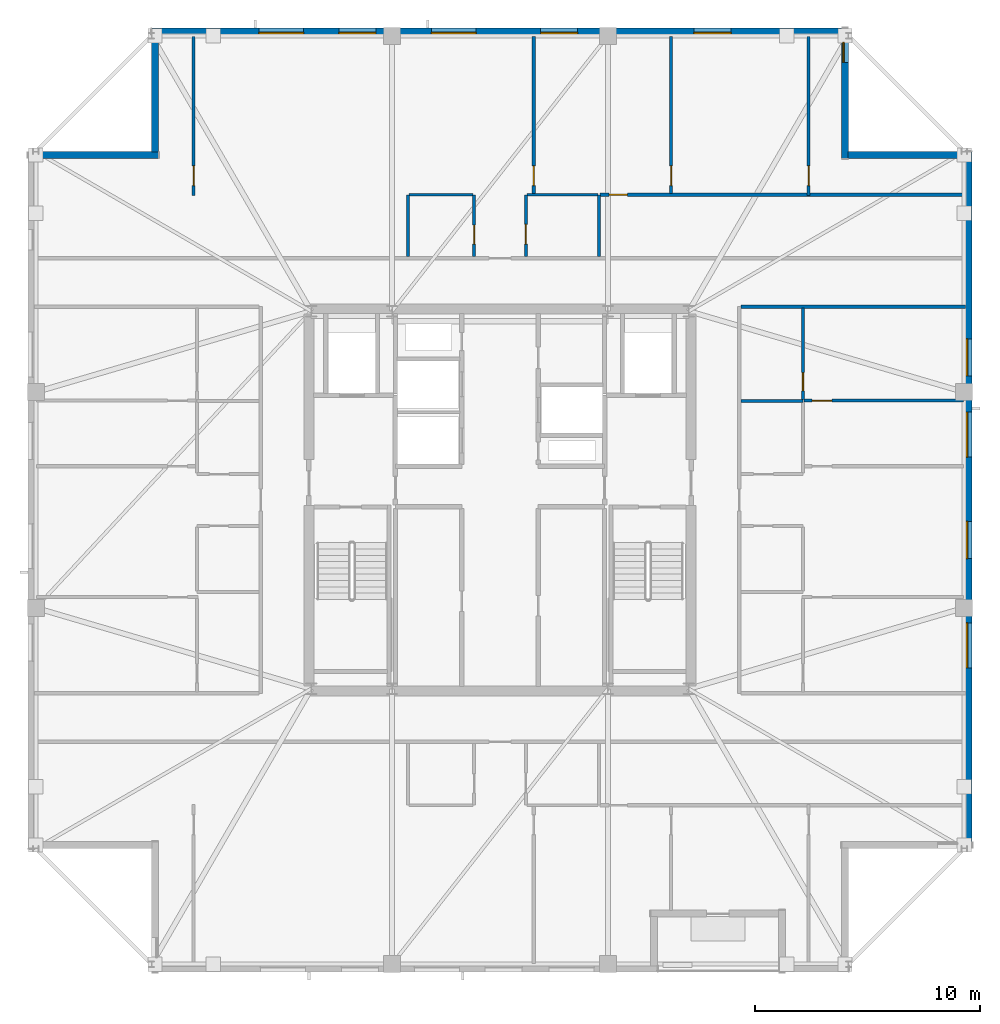
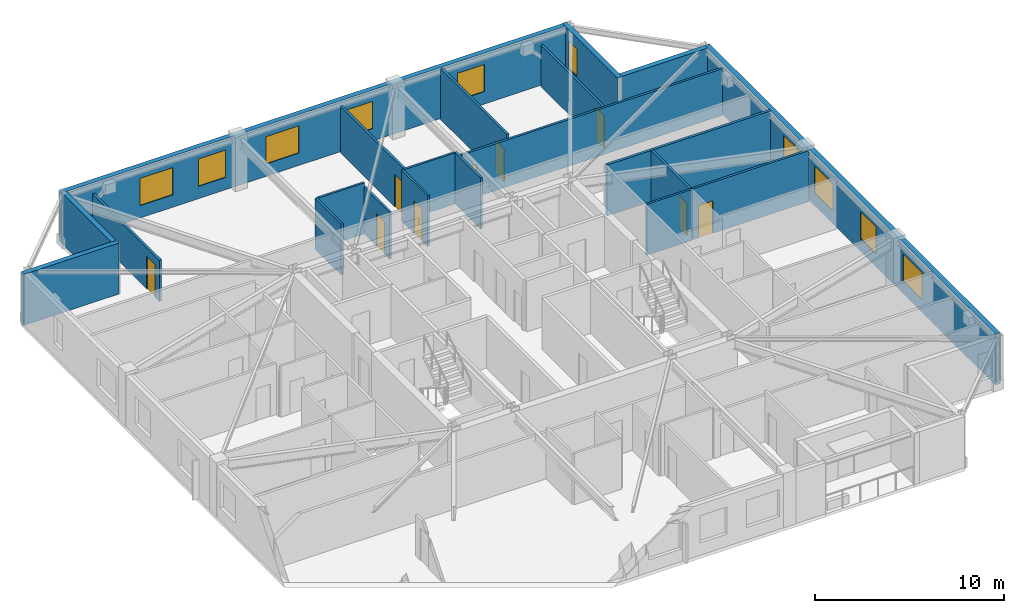
# One storey, part 10 of 15: 21 walls, 10 windows, 9 doors, 19 openings.
"""IFC4 building model written with IfcOpenShell, lengths in metres."""

from ifc_helpers import new_model, si_unit, direction, frame, frame_2d, origin, place, context, subcontext, project, spatial, rectangle, extrude, material, layer, layer_set, type_object, element, fill, save


model = new_model("IFC4")

# Units and contexts
model_context = context("Model", 3, precision=1e-05, world=origin(), true_north=direction((0.0, 1.0)))
body_context = subcontext(model_context, "Body", "Model", "MODEL_VIEW")
ifc_project = project(units=[si_unit("LENGTHUNIT", "METRE"), si_unit("AREAUNIT", "SQUARE_METRE"), si_unit("VOLUMEUNIT", "CUBIC_METRE"), si_unit("PLANEANGLEUNIT", "RADIAN"), si_unit("MASSUNIT", "GRAM", prefix="KILO")], contexts=[model_context])

# Site, building, storey
site_placement = place(None, origin())
site = spatial("IfcSite", under=ifc_project, at=site_placement, CompositionType="ELEMENT")
building_placement = place(site_placement, origin())
building = spatial("IfcBuilding", under=site, at=building_placement, Name="Cairnveth Concourse Tower", CompositionType="ELEMENT")
storey_placement = place(building_placement, frame((0.0, 0.0, 287.5)))
storey = spatial("IfcBuildingStorey", under=building, at=storey_placement, Name="L79", CompositionType="ELEMENT", Elevation=287.5)

# Wall
ifc_material_1 = material(Name="Gypsum Plasterboard Partition", Category="gypsum")
ifc_layer_1 = layer(ifc_material_1, 0.159912109375)
ifc_layer_set_1 = layer_set([ifc_layer_1], Name="Gypsum Plasterboard Partition")
wall_type_1 = type_object("IfcWallType", Name="ACOUSTIC PARTY WALL 180", PredefinedType="PARTITIONING", material=ifc_layer_set_1)
wall_1_placement = place(storey_placement, frame((62.715087890625, 47.60009765625, 0.0), z_axis=(0.0, 0.0, 1.0), x_axis=(1.0, 0.0, 0.0)))
element("IfcWall", 1, at=wall_1_placement, inside=storey, type_object=wall_type_1, Name="Interior Wall IW-L79-040", PredefinedType="PARTITIONING", context=body_context, shape_type="SweptSolid", body=[
    extrude(rectangle(XDim=10.0, YDim=0.159912109375, at=frame_2d((5.0, 0.0))), origin(), (0.0, 0.0, 1.0), 3.2900390625),
])

# Wall, opening, door
ifc_layer_2 = layer(ifc_material_1, 0.139892578125)
ifc_layer_set_2 = layer_set([ifc_layer_2], Name="Gypsum Plasterboard Partition")
wall_type_2 = type_object("IfcWallType", Name="GYPSUM STUD PARTITION 140", PredefinedType="PARTITIONING", material=ifc_layer_set_2)
wall_2_placement = place(storey_placement, frame((38.3701171875, 52.5400390625, 0.0), z_axis=(0.0, 0.0, 1.0), x_axis=(0.0, 1.0, 0.0)))
wall_2 = element("IfcWall", 2, at=wall_2_placement, inside=storey, type_object=wall_type_2, Name="Interior Wall IW-L79-058", PredefinedType="PARTITIONING", context=body_context, shape_type="SweptSolid", body=[
    extrude(rectangle(XDim=7.080078125, YDim=0.139892578125, at=frame_2d((3.5400390625, 0.0))), origin(), (0.0, 0.0, 1.0), 2.653076171875),
])
opening_1_placement = place(wall_2_placement, frame((0.449951171875, 0.0, 0.0)))
opening_1 = element("IfcOpeningElement", 3, at=opening_1_placement, cuts=wall_2, Name="Opening ID18", PredefinedType="OPENING", context=body_context, shape_type="SweptSolid", body=[
    extrude(rectangle(XDim=0.8798828125, YDim=2.10009765625, at=frame_2d((0.43994140625, 1.050048828125))), frame((0.0, 0.079833984375, 0.0), z_axis=(0.0, -1.0, 0.0), x_axis=(1.0, 0.0, 0.0)), (0.0, 0.0, 1.0), 0.159912109375),
])
ifc_material_2 = material(Name="Solid Core Hardwood Timber Leaf", Category="wood")
door_type_1 = type_object("IfcDoorType", Name="INTERIOR SINGLE DOOR 880X2100", OperationType="NOTDEFINED", PredefinedType="DOOR", material=ifc_material_2)
door_1_placement = place(opening_1_placement, origin())
door_1 = element("IfcDoor", 4, at=door_1_placement, inside=storey, type_object=door_type_1, Name="L79PN1 Master Bedroom Door", OperationType="SINGLE_SWING_LEFT", OverallHeight=2.10009765625, OverallWidth=0.8798828125, PredefinedType="DOOR", context=body_context, shape_type="SweptSolid", body=[
    extrude(rectangle(XDim=0.8798828125, YDim=2.10009765625, at=frame_2d((0.43994140625, 1.050048828125))), frame((0.0, 0.02490234375, 0.0), z_axis=(0.0, -1.0, 0.0), x_axis=(1.0, 0.0, 0.0)), (0.0, 0.0, 1.0), 0.050048828125),
])
fill(opening_1, door_1)

wall_3_placement = place(storey_placement, frame((65.72998046875, 52.5400390625, 0.0), z_axis=(0.0, 0.0, 1.0), x_axis=(0.0, 1.0, 0.0)))
wall_3 = element("IfcWall", 5, at=wall_3_placement, inside=storey, type_object=wall_type_2, Name="Interior Wall IW-L79-059", PredefinedType="PARTITIONING", context=body_context, shape_type="SweptSolid", body=[
    extrude(rectangle(XDim=7.080078125, YDim=0.139892578125, at=frame_2d((3.5400390625, 0.0))), origin(), (0.0, 0.0, 1.0), 2.653076171875),
])
opening_2_placement = place(wall_3_placement, frame((0.449951171875, 0.0, 0.0)))
opening_2 = element("IfcOpeningElement", 6, at=opening_2_placement, cuts=wall_3, Name="Opening ID18", PredefinedType="OPENING", context=body_context, shape_type="SweptSolid", body=[
    extrude(rectangle(XDim=0.8798828125, YDim=2.10009765625, at=frame_2d((0.43994140625, 1.050048828125))), frame((0.0, 0.079833984375, 0.0), z_axis=(0.0, -1.0, 0.0), x_axis=(1.0, 0.0, 0.0)), (0.0, 0.0, 1.0), 0.159912109375),
])
door_2_placement = place(opening_2_placement, origin())
door_2 = element("IfcDoor", 7, at=door_2_placement, inside=storey, type_object=door_type_1, Name="L79PN1 Bedroom 2 Door", OperationType="SINGLE_SWING_LEFT", OverallHeight=2.10009765625, OverallWidth=0.8798828125, PredefinedType="DOOR", context=body_context, shape_type="SweptSolid", body=[
    extrude(rectangle(XDim=0.8798828125, YDim=2.10009765625, at=frame_2d((0.43994140625, 1.050048828125))), frame((0.0, 0.02490234375, 0.0), z_axis=(0.0, -1.0, 0.0), x_axis=(1.0, 0.0, 0.0)), (0.0, 0.0, 1.0), 0.050048828125),
])
fill(opening_2, door_2)

wall_4_placement = place(storey_placement, frame((56.449951171875, 52.580078125, 0.0), z_axis=(0.0, 0.0, 1.0), x_axis=(1.0, 0.0, 0.0)))
wall_4 = element("IfcWall", 8, at=wall_4_placement, inside=storey, type_object=wall_type_2, Name="Interior Wall IW-L79-060", PredefinedType="PARTITIONING", context=body_context, shape_type="SweptSolid", body=[
    extrude(rectangle(XDim=16.179931640625, YDim=0.139892578125, at=frame_2d((8.08984375, 0.0))), origin(), (0.0, 0.0, 1.0), 3.009033203125),
])
opening_3_placement = place(wall_4_placement, frame((0.39990234375, 0.0, 0.0)))
opening_3 = element("IfcOpeningElement", 9, at=opening_3_placement, cuts=wall_4, Name="Opening ID22", PredefinedType="OPENING", context=body_context, shape_type="SweptSolid", body=[
    extrude(rectangle(XDim=0.820068359375, YDim=2.10009765625, at=frame_2d((0.41015625, 1.050048828125))), frame((0.0, 0.079833984375, 0.0), z_axis=(0.0, -1.0, 0.0), x_axis=(1.0, 0.0, 0.0)), (0.0, 0.0, 1.0), 0.159912109375),
])
door_type_2 = type_object("IfcDoorType", Name="INTERIOR WC DOOR 820X2100", OperationType="NOTDEFINED", PredefinedType="DOOR", material=ifc_material_2)
door_3_placement = place(opening_3_placement, origin())
door_3 = element("IfcDoor", 10, at=door_3_placement, inside=storey, type_object=door_type_2, Name="L79PN1 Utility Door", OperationType="SINGLE_SWING_RIGHT", OverallHeight=2.10009765625, OverallWidth=0.820068359375, PredefinedType="DOOR", context=body_context, shape_type="SweptSolid", body=[
    extrude(rectangle(XDim=0.820068359375, YDim=2.10009765625, at=frame_2d((0.41015625, 1.050048828125))), frame((0.0, 0.02490234375, 0.0), z_axis=(0.0, -1.0, 0.0), x_axis=(1.0, 0.0, 0.0)), (0.0, 0.0, 1.0), 0.050048828125),
])
fill(opening_3, door_3)

wall_5_placement = place(storey_placement, frame((53.5, 52.6298828125, 0.0), z_axis=(0.0, 0.0, 1.0), x_axis=(0.0, 1.0, 0.0)))
wall_5 = element("IfcWall", 11, at=wall_5_placement, inside=storey, type_object=wall_type_2, Name="Interior Wall IW-L79-061", PredefinedType="PARTITIONING", context=body_context, shape_type="SweptSolid", body=[
    extrude(rectangle(XDim=6.990234375, YDim=0.139892578125, at=frame_2d((3.4951171875, 0.0))), origin(), (0.0, 0.0, 1.0), 3.009033203125),
])
opening_4_placement = place(wall_5_placement, frame((0.360107421875, 0.0, 0.0)))
opening_4 = element("IfcOpeningElement", 12, at=opening_4_placement, cuts=wall_5, Name="Opening ID18", PredefinedType="OPENING", context=body_context, shape_type="SweptSolid", body=[
    extrude(rectangle(XDim=0.8798828125, YDim=2.10009765625, at=frame_2d((0.43994140625, 1.050048828125))), frame((0.0, 0.079833984375, 0.0), z_axis=(0.0, -1.0, 0.0), x_axis=(1.0, 0.0, 0.0)), (0.0, 0.0, 1.0), 0.159912109375),
])
door_4_placement = place(opening_4_placement, origin())
door_4 = element("IfcDoor", 13, at=door_4_placement, inside=storey, type_object=door_type_1, Name="L79PN1 Media Lounge Door", OperationType="SINGLE_SWING_RIGHT", OverallHeight=2.10009765625, OverallWidth=0.8798828125, PredefinedType="DOOR", context=body_context, shape_type="SweptSolid", body=[
    extrude(rectangle(XDim=0.8798828125, YDim=2.10009765625, at=frame_2d((0.43994140625, 1.050048828125))), frame((0.0, 0.02490234375, 0.0), z_axis=(0.0, -1.0, 0.0), x_axis=(1.0, 0.0, 0.0)), (0.0, 0.0, 1.0), 0.050048828125),
])
fill(opening_4, door_4)

wall_6_placement = place(storey_placement, frame((59.614990234375, 52.635009765625, 0.0), z_axis=(0.0, 0.0, 1.0), x_axis=(0.0, 1.0, 0.0)))
wall_6 = element("IfcWall", 14, at=wall_6_placement, inside=storey, type_object=wall_type_2, Name="Interior Wall IW-L79-062", PredefinedType="PARTITIONING", context=body_context, shape_type="SweptSolid", body=[
    extrude(rectangle(XDim=6.985107421875, YDim=0.139892578125, at=frame_2d((3.49267578125, 0.0))), origin(), (0.0, 0.0, 1.0), 3.2900390625),
])
opening_5_placement = place(wall_6_placement, frame((0.35498046875, 0.0, 0.0)))
opening_5 = element("IfcOpeningElement", 15, at=opening_5_placement, cuts=wall_6, Name="Opening ID18", PredefinedType="OPENING", context=body_context, shape_type="SweptSolid", body=[
    extrude(rectangle(XDim=0.8798828125, YDim=2.10009765625, at=frame_2d((0.43994140625, 1.050048828125))), frame((0.0, 0.079833984375, 0.0), z_axis=(0.0, -1.0, 0.0), x_axis=(1.0, 0.0, 0.0)), (0.0, 0.0, 1.0), 0.159912109375),
])
door_5_placement = place(opening_5_placement, origin())
door_5 = element("IfcDoor", 16, at=door_5_placement, inside=storey, type_object=door_type_1, Name="L79PN1 Library Salon Door", OperationType="SINGLE_SWING_LEFT", OverallHeight=2.10009765625, OverallWidth=0.8798828125, PredefinedType="DOOR", context=body_context, shape_type="SweptSolid", body=[
    extrude(rectangle(XDim=0.8798828125, YDim=2.10009765625, at=frame_2d((0.43994140625, 1.050048828125))), frame((0.0, 0.02490234375, 0.0), z_axis=(0.0, -1.0, 0.0), x_axis=(1.0, 0.0, 0.0)), (0.0, 0.0, 1.0), 0.050048828125),
])
fill(opening_5, door_5)

wall_7_placement = place(storey_placement, frame((65.530029296875, 43.419921875, 0.0), z_axis=(0.0, 0.0, 1.0), x_axis=(1.0, 0.0, 0.0)))
wall_7 = element("IfcWall", 17, at=wall_7_placement, inside=storey, type_object=wall_type_2, Name="Interior Wall IW-L79-082", PredefinedType="PARTITIONING", context=body_context, shape_type="SweptSolid", body=[
    extrude(rectangle(XDim=7.090087890625, YDim=0.139892578125, at=frame_2d((3.544921875, 0.0))), origin(), (0.0, 0.0, 1.0), 3.2900390625),
])
opening_6_placement = place(wall_7_placement, frame((0.360107421875, 0.0, 0.0)))
opening_6 = element("IfcOpeningElement", 18, at=opening_6_placement, cuts=wall_7, Name="Opening ID18", PredefinedType="OPENING", context=body_context, shape_type="SweptSolid", body=[
    extrude(rectangle(XDim=0.8798828125, YDim=2.10009765625, at=frame_2d((0.43994140625, 1.050048828125))), frame((0.0, 0.079833984375, 0.0), z_axis=(0.0, -1.0, 0.0), x_axis=(1.0, 0.0, 0.0)), (0.0, 0.0, 1.0), 0.159912109375),
])
door_6_placement = place(opening_6_placement, origin())
door_6 = element("IfcDoor", 19, at=door_6_placement, inside=storey, type_object=door_type_1, Name="L79PE1 Bedroom 2 Door", OperationType="SINGLE_SWING_RIGHT", OverallHeight=2.10009765625, OverallWidth=0.8798828125, PredefinedType="DOOR", context=body_context, shape_type="SweptSolid", body=[
    extrude(rectangle(XDim=0.8798828125, YDim=2.10009765625, at=frame_2d((0.43994140625, 1.050048828125))), frame((0.0, 0.02490234375, 0.0), z_axis=(0.0, -1.0, 0.0), x_axis=(1.0, 0.0, 0.0)), (0.0, 0.0, 1.0), 0.050048828125),
])
fill(opening_6, door_6)

wall_8_placement = place(storey_placement, frame((65.47998046875, 43.47509765625, 0.0), z_axis=(0.0, 0.0, 1.0), x_axis=(0.0, 1.0, 0.0)))
wall_8 = element("IfcWall", 20, at=wall_8_placement, inside=storey, type_object=wall_type_2, Name="Interior Wall IW-L79-083", PredefinedType="PARTITIONING", context=body_context, shape_type="SweptSolid", body=[
    extrude(rectangle(XDim=4.059814453125, YDim=0.139892578125, at=frame_2d((2.02978515625, 0.0))), origin(), (0.0, 0.0, 1.0), 3.2900390625),
])
opening_7_placement = place(wall_8_placement, frame((0.375, 0.0, 0.0)))
opening_7 = element("IfcOpeningElement", 21, at=opening_7_placement, cuts=wall_8, Name="Opening ID22", PredefinedType="OPENING", context=body_context, shape_type="SweptSolid", body=[
    extrude(rectangle(XDim=0.820068359375, YDim=2.10009765625, at=frame_2d((0.41015625, 1.050048828125))), frame((0.0, 0.079833984375, 0.0), z_axis=(0.0, -1.0, 0.0), x_axis=(1.0, 0.0, 0.0)), (0.0, 0.0, 1.0), 0.159912109375),
])
door_7_placement = place(opening_7_placement, origin())
door_7 = element("IfcDoor", 22, at=door_7_placement, inside=storey, type_object=door_type_2, Name="L79PE1 Utility Door", OperationType="SINGLE_SWING_LEFT", OverallHeight=2.10009765625, OverallWidth=0.820068359375, PredefinedType="DOOR", context=body_context, shape_type="SweptSolid", body=[
    extrude(rectangle(XDim=0.820068359375, YDim=2.10009765625, at=frame_2d((0.41015625, 1.050048828125))), frame((0.0, 0.02490234375, 0.0), z_axis=(0.0, -1.0, 0.0), x_axis=(1.0, 0.0, 0.0)), (0.0, 0.0, 1.0), 0.050048828125),
])
fill(opening_7, door_7)

# Wall
ifc_layer_3 = layer(ifc_material_1, 0.1298828125)
ifc_layer_set_3 = layer_set([ifc_layer_3], Name="Gypsum Plasterboard Partition")
wall_type_3 = type_object("IfcWallType", Name="WET AREA PARTITION 140", PredefinedType="PLUMBINGWALL", material=ifc_layer_set_3)
wall_9_placement = place(storey_placement, frame((47.89990234375, 49.830078125, 0.0), z_axis=(0.0, 0.0, 1.0), x_axis=(0.0, 1.0, 0.0)))
element("IfcWall", 23, at=wall_9_placement, inside=storey, type_object=wall_type_3, Name="Interior Wall IW-L79-052", PredefinedType="PLUMBINGWALL", context=body_context, shape_type="SweptSolid", body=[
    extrude(rectangle(XDim=2.75, YDim=0.1298828125, at=frame_2d((1.375, 0.0))), origin(), (0.0, 0.0, 1.0), 3.2900390625),
])

# Wall, opening, door
wall_10_placement = place(storey_placement, frame((50.85009765625, 49.830078125, 0.0), z_axis=(0.0, 0.0, 1.0), x_axis=(0.0, 1.0, 0.0)))
wall_10 = element("IfcWall", 24, at=wall_10_placement, inside=storey, type_object=wall_type_3, Name="Interior Wall IW-L79-053", PredefinedType="PLUMBINGWALL", context=body_context, shape_type="SweptSolid", body=[
    extrude(rectangle(XDim=2.75, YDim=0.1298828125, at=frame_2d((1.375, 0.0))), origin(), (0.0, 0.0, 1.0), 3.009033203125),
])
opening_8_placement = place(wall_10_placement, frame((0.550048828125, 0.0, 0.0)))
opening_8 = element("IfcOpeningElement", 25, at=opening_8_placement, cuts=wall_10, Name="Opening ID21", PredefinedType="OPENING", context=body_context, shape_type="SweptSolid", body=[
    extrude(rectangle(XDim=0.85009765625, YDim=2.080078125, at=frame_2d((0.425048828125, 1.0400390625))), frame((0.0, 0.074951171875, 0.0), z_axis=(0.0, -1.0, 0.0), x_axis=(1.0, 0.0, 0.0)), (0.0, 0.0, 1.0), 0.14990234375),
])
door_type_3 = type_object("IfcDoorType", Name="INTERIOR WC DOOR 850X2100", OperationType="NOTDEFINED", PredefinedType="DOOR", material=ifc_material_2)
door_8_placement = place(opening_8_placement, origin())
door_8 = element("IfcDoor", 26, at=door_8_placement, inside=storey, type_object=door_type_3, Name="L79PN1 Bathroom Door", OperationType="SINGLE_SWING_LEFT", OverallHeight=2.080078125, OverallWidth=0.85009765625, PredefinedType="DOOR", context=body_context, shape_type="SweptSolid", body=[
    extrude(rectangle(XDim=0.85009765625, YDim=2.080078125, at=frame_2d((0.425048828125, 1.0400390625))), frame((0.0, 0.02490234375, 0.0), z_axis=(0.0, -1.0, 0.0), x_axis=(1.0, 0.0, 0.0)), (0.0, 0.0, 1.0), 0.050048828125),
])
fill(opening_8, door_8)

# Walls
wall_11_placement = place(storey_placement, frame((47.949951171875, 52.580078125, 0.0), z_axis=(0.0, 0.0, 1.0), x_axis=(1.0, 0.0, 0.0)))
element("IfcWall", 27, at=wall_11_placement, inside=storey, type_object=wall_type_3, Name="Interior Wall IW-L79-054", PredefinedType="PLUMBINGWALL", context=body_context, shape_type="SweptSolid", body=[
    extrude(rectangle(XDim=2.85009765625, YDim=0.1298828125, at=frame_2d((1.425048828125, 0.0))), origin(), (0.0, 0.0, 1.0), 3.2900390625),
])
wall_12_placement = place(storey_placement, frame((56.39990234375, 49.830078125, 0.0), z_axis=(0.0, 0.0, 1.0), x_axis=(0.0, 1.0, 0.0)))
element("IfcWall", 28, at=wall_12_placement, inside=storey, type_object=wall_type_3, Name="Interior Wall IW-L79-055", PredefinedType="PLUMBINGWALL", context=body_context, shape_type="SweptSolid", body=[
    extrude(rectangle(XDim=2.75, YDim=0.1298828125, at=frame_2d((1.375, 0.0))), origin(), (0.0, 0.0, 1.0), 3.2900390625),
])

# Wall, opening, door
wall_13_placement = place(storey_placement, frame((53.14990234375, 49.830078125, 0.0), z_axis=(0.0, 0.0, 1.0), x_axis=(0.0, 1.0, 0.0)))
wall_13 = element("IfcWall", 29, at=wall_13_placement, inside=storey, type_object=wall_type_3, Name="Interior Wall IW-L79-056", PredefinedType="PLUMBINGWALL", context=body_context, shape_type="SweptSolid", body=[
    extrude(rectangle(XDim=2.75, YDim=0.1298828125, at=frame_2d((1.375, 0.0))), origin(), (0.0, 0.0, 1.0), 3.2900390625),
])
opening_9_placement = place(wall_13_placement, frame((0.550048828125, 0.0, 0.0)))
opening_9 = element("IfcOpeningElement", 30, at=opening_9_placement, cuts=wall_13, Name="Opening ID18", PredefinedType="OPENING", context=body_context, shape_type="SweptSolid", body=[
    extrude(rectangle(XDim=0.8798828125, YDim=2.10009765625, at=frame_2d((0.43994140625, 1.050048828125))), frame((0.0, 0.074951171875, 0.0), z_axis=(0.0, -1.0, 0.0), x_axis=(1.0, 0.0, 0.0)), (0.0, 0.0, 1.0), 0.14990234375),
])
door_9_placement = place(opening_9_placement, origin())
door_9 = element("IfcDoor", 31, at=door_9_placement, inside=storey, type_object=door_type_1, Name="L79PN1 Kitchen Door", OperationType="SINGLE_SWING_RIGHT", OverallHeight=2.10009765625, OverallWidth=0.8798828125, PredefinedType="DOOR", context=body_context, shape_type="SweptSolid", body=[
    extrude(rectangle(XDim=0.8798828125, YDim=2.10009765625, at=frame_2d((0.43994140625, 1.050048828125))), frame((0.0, 0.02490234375, 0.0), z_axis=(0.0, -1.0, 0.0), x_axis=(1.0, 0.0, 0.0)), (0.0, 0.0, 1.0), 0.050048828125),
])
fill(opening_9, door_9)

# Walls
wall_14_placement = place(storey_placement, frame((53.199951171875, 52.580078125, 0.0), z_axis=(0.0, 0.0, 1.0), x_axis=(1.0, 0.0, 0.0)))
element("IfcWall", 32, at=wall_14_placement, inside=storey, type_object=wall_type_3, Name="Interior Wall IW-L79-057", PredefinedType="PLUMBINGWALL", context=body_context, shape_type="SweptSolid", body=[
    extrude(rectangle(XDim=3.150146484375, YDim=0.1298828125, at=frame_2d((1.5751953125, 0.0))), origin(), (0.0, 0.0, 1.0), 3.2900390625),
])
wall_15_placement = place(storey_placement, frame((62.72998046875, 43.39990234375, 0.0), z_axis=(0.0, 0.0, 1.0), x_axis=(1.0, 0.0, 0.0)))
element("IfcWall", 33, at=wall_15_placement, inside=storey, type_object=wall_type_3, Name="Interior Wall IW-L79-077", PredefinedType="PLUMBINGWALL", context=body_context, shape_type="SweptSolid", body=[
    extrude(rectangle(XDim=2.75, YDim=0.1298828125, at=frame_2d((1.375, 0.0))), origin(), (0.0, 0.0, 1.0), 3.2900390625),
])
ifc_material_3 = material(Name="Hawthorn Red-Ochre Fired Clay Brick Masonry", Category="masonry")
ifc_layer_4 = layer(ifc_material_3, 0.300048828125)
ifc_layer_set_4 = layer_set([ifc_layer_4], Name="Hawthorn Red-Ochre Fired Clay Brick Masonry")
wall_type_4 = type_object("IfcWallType", Name="ZONE 4 BRICK PIER SPANDREL WALL 300", PredefinedType="SOLIDWALL", material=ifc_layer_set_4)
wall_16_placement = place(storey_placement, frame((31.0, 54.35009765625, 0.0), z_axis=(0.0, 0.0, 1.0), x_axis=(1.0, 0.0, 0.0)))
element("IfcWall", 34, at=wall_16_placement, inside=storey, type_object=wall_type_4, Name="Exterior Wall EW-L79-S04", PredefinedType="SOLIDWALL", context=body_context, shape_type="SweptSolid", body=[
    extrude(rectangle(XDim=5.800048828125, YDim=0.300048828125, at=frame_2d((2.89990234375, 0.0))), origin(), (0.0, 0.0, 1.0), 3.2900390625),
])
wall_17_placement = place(storey_placement, frame((36.64990234375, 54.47802734375, 0.0), z_axis=(0.0, 0.0, 1.0), x_axis=(0.0, 1.0, 0.0)))
element("IfcWall", 35, at=wall_17_placement, inside=storey, type_object=wall_type_4, Name="Exterior Wall EW-L79-S05", PredefinedType="SOLIDWALL", context=body_context, shape_type="SweptSolid", body=[
    extrude(rectangle(XDim=5.243896484375, YDim=0.300048828125, at=frame_2d((2.6220703125, 0.0))), origin(), (0.0, 0.0, 1.0), 3.2900390625),
])

# Wall, openings, windows
wall_18_placement = place(storey_placement, frame((36.5, 59.85009765625, 0.0), z_axis=(0.0, 0.0, 1.0), x_axis=(1.0, 0.0, 0.0)))
wall_18 = element("IfcWall", 36, at=wall_18_placement, inside=storey, type_object=wall_type_4, Name="Exterior Wall EW-L79-S06", PredefinedType="SOLIDWALL", context=body_context, shape_type="SweptSolid", body=[
    extrude(rectangle(XDim=30.721923828125, YDim=0.300048828125, at=frame_2d((15.36083984375, 0.0))), origin(), (0.0, 0.0, 1.0), 3.2900390625),
])
opening_10_placement = place(wall_18_placement, frame((4.7685546875, 0.0, 0.800048828125)))
opening_10 = element("IfcOpeningElement", 37, at=opening_10_placement, cuts=wall_18, Name="Opening W09", PredefinedType="OPENING", context=body_context, shape_type="SweptSolid", body=[
    extrude(rectangle(XDim=2.0, YDim=1.758056640625, at=frame_2d((1.0, 0.87890625))), frame((0.0, 0.159912109375, 0.0), z_axis=(0.0, -1.0, 0.0), x_axis=(1.0, 0.0, 0.0)), (0.0, 0.0, 1.0), 0.320068359375),
])
opening_11_placement = place(wall_18_placement, frame((8.33056640625, 0.0, 0.800048828125)))
opening_11 = element("IfcOpeningElement", 38, at=opening_11_placement, cuts=wall_18, Name="Opening W04", PredefinedType="OPENING", context=body_context, shape_type="SweptSolid", body=[
    extrude(rectangle(XDim=1.64990234375, YDim=1.758056640625, at=frame_2d((0.824951171875, 0.87890625))), frame((0.0, 0.159912109375, 0.0), z_axis=(0.0, -1.0, 0.0), x_axis=(1.0, 0.0, 0.0)), (0.0, 0.0, 1.0), 0.320068359375),
])
opening_12_placement = place(wall_18_placement, frame((12.4423828125, 0.0, 0.800048828125)))
opening_12 = element("IfcOpeningElement", 39, at=opening_12_placement, cuts=wall_18, Name="Opening W09", PredefinedType="OPENING", context=body_context, shape_type="SweptSolid", body=[
    extrude(rectangle(XDim=2.0, YDim=1.758056640625, at=frame_2d((1.0, 0.87890625))), frame((0.0, 0.159912109375, 0.0), z_axis=(0.0, -1.0, 0.0), x_axis=(1.0, 0.0, 0.0)), (0.0, 0.0, 1.0), 0.320068359375),
])
opening_13_placement = place(wall_18_placement, frame((17.304443359375, 0.0, 0.800048828125)))
opening_13 = element("IfcOpeningElement", 40, at=opening_13_placement, cuts=wall_18, Name="Opening W04", PredefinedType="OPENING", context=body_context, shape_type="SweptSolid", body=[
    extrude(rectangle(XDim=1.64990234375, YDim=1.758056640625, at=frame_2d((0.824951171875, 0.87890625))), frame((0.0, 0.159912109375, 0.0), z_axis=(0.0, -1.0, 0.0), x_axis=(1.0, 0.0, 0.0)), (0.0, 0.0, 1.0), 0.320068359375),
])
opening_14_placement = place(wall_18_placement, frame((24.12841796875, 0.0, 0.800048828125)))
opening_14 = element("IfcOpeningElement", 41, at=opening_14_placement, cuts=wall_18, Name="Opening W04", PredefinedType="OPENING", context=body_context, shape_type="SweptSolid", body=[
    extrude(rectangle(XDim=1.64990234375, YDim=1.758056640625, at=frame_2d((0.824951171875, 0.87890625))), frame((0.0, 0.159912109375, 0.0), z_axis=(0.0, -1.0, 0.0), x_axis=(1.0, 0.0, 0.0)), (0.0, 0.0, 1.0), 0.320068359375),
])
ifc_material_4 = material(Name="Double Glazed Low-E Clear Glass", Category="glass")
window_type_1 = type_object("IfcWindowType", Name="DEEP-SET GOTHIC LANCET WINDOW 1650X1850", PartitioningType="DOUBLE_PANEL_VERTICAL", PredefinedType="WINDOW", material=ifc_material_4)
window_1_placement = place(opening_11_placement, origin())
window_1 = element("IfcWindow", 42, at=window_1_placement, inside=storey, type_object=window_type_1, Name="Gothic Lancet Window L79-6-2", OverallHeight=1.758056640625, OverallWidth=1.64990234375, PartitioningType="SINGLE_PANEL", PredefinedType="WINDOW", context=body_context, shape_type="SweptSolid", body=[
    extrude(rectangle(XDim=1.64990234375, YDim=1.758056640625, at=frame_2d((0.824951171875, 0.87890625))), frame((0.0, -0.050048828125, 0.0), z_axis=(0.0, -1.0, 0.0), x_axis=(1.0, 0.0, 0.0)), (0.0, 0.0, 1.0), 0.06005859375),
])
fill(opening_11, window_1)
window_2_placement = place(opening_13_placement, origin())
window_2 = element("IfcWindow", 43, at=window_2_placement, inside=storey, type_object=window_type_1, Name="Gothic Lancet Window L79-6-4", OverallHeight=1.758056640625, OverallWidth=1.64990234375, PartitioningType="SINGLE_PANEL", PredefinedType="WINDOW", context=body_context, shape_type="SweptSolid", body=[
    extrude(rectangle(XDim=1.64990234375, YDim=1.758056640625, at=frame_2d((0.824951171875, 0.87890625))), frame((0.0, -0.050048828125, 0.0), z_axis=(0.0, -1.0, 0.0), x_axis=(1.0, 0.0, 0.0)), (0.0, 0.0, 1.0), 0.06005859375),
])
fill(opening_13, window_2)
window_3_placement = place(opening_14_placement, origin())
window_3 = element("IfcWindow", 44, at=window_3_placement, inside=storey, type_object=window_type_1, Name="Gothic Lancet Window L79-6-6", OverallHeight=1.758056640625, OverallWidth=1.64990234375, PartitioningType="SINGLE_PANEL", PredefinedType="WINDOW", context=body_context, shape_type="SweptSolid", body=[
    extrude(rectangle(XDim=1.64990234375, YDim=1.758056640625, at=frame_2d((0.824951171875, 0.87890625))), frame((0.0, -0.050048828125, 0.0), z_axis=(0.0, -1.0, 0.0), x_axis=(1.0, 0.0, 0.0)), (0.0, 0.0, 1.0), 0.06005859375),
])
fill(opening_14, window_3)
window_type_2 = type_object("IfcWindowType", Name="DEEP-SET PENTHOUSE LANCET WINDOW 2000X1850", PartitioningType="DOUBLE_PANEL_VERTICAL", PredefinedType="WINDOW", material=ifc_material_4)
window_4_placement = place(opening_10_placement, origin())
window_4 = element("IfcWindow", 45, at=window_4_placement, inside=storey, type_object=window_type_2, Name="Gothic Lancet Window L79-6-1", OverallHeight=1.758056640625, OverallWidth=2.0, PartitioningType="SINGLE_PANEL", PredefinedType="WINDOW", context=body_context, shape_type="SweptSolid", body=[
    extrude(rectangle(XDim=2.0, YDim=1.758056640625, at=frame_2d((1.0, 0.87890625))), frame((0.0, -0.050048828125, 0.0), z_axis=(0.0, -1.0, 0.0), x_axis=(1.0, 0.0, 0.0)), (0.0, 0.0, 1.0), 0.06005859375),
])
fill(opening_10, window_4)
window_5_placement = place(opening_12_placement, origin())
window_5 = element("IfcWindow", 46, at=window_5_placement, inside=storey, type_object=window_type_2, Name="Gothic Lancet Window L79-6-3", OverallHeight=1.758056640625, OverallWidth=2.0, PartitioningType="SINGLE_PANEL", PredefinedType="WINDOW", context=body_context, shape_type="SweptSolid", body=[
    extrude(rectangle(XDim=2.0, YDim=1.758056640625, at=frame_2d((1.0, 0.87890625))), frame((0.0, -0.050048828125, 0.0), z_axis=(0.0, -1.0, 0.0), x_axis=(1.0, 0.0, 0.0)), (0.0, 0.0, 1.0), 0.06005859375),
])
fill(opening_12, window_5)

# Wall, opening, window
wall_19_placement = place(storey_placement, frame((67.35009765625, 60.0, 0.0), z_axis=(0.0, 0.0, 1.0), x_axis=(0.0, -1.0, 0.0)))
wall_19 = element("IfcWall", 47, at=wall_19_placement, inside=storey, type_object=wall_type_4, Name="Exterior Wall EW-L79-S07", PredefinedType="SOLIDWALL", context=body_context, shape_type="SweptSolid", body=[
    extrude(rectangle(XDim=5.800048828125, YDim=0.300048828125, at=frame_2d((2.89990234375, 0.0))), origin(), (0.0, 0.0, 1.0), 3.2900390625),
])
opening_15_placement = place(wall_19_placement, frame((0.6298828125, 0.0, 0.800048828125)))
opening_15 = element("IfcOpeningElement", 48, at=opening_15_placement, cuts=wall_19, Name="Opening W13", PredefinedType="OPENING", context=body_context, shape_type="SweptSolid", body=[
    extrude(rectangle(XDim=0.89990234375, YDim=1.75, at=frame_2d((0.449951171875, 0.875))), frame((0.0, 0.159912109375, 0.0), z_axis=(0.0, -1.0, 0.0), x_axis=(1.0, 0.0, 0.0)), (0.0, 0.0, 1.0), 0.320068359375),
])
window_type_3 = type_object("IfcWindowType", Name="DEEP-SET BEDROOM LANCET WINDOW 900X1750", PartitioningType="DOUBLE_PANEL_VERTICAL", PredefinedType="WINDOW", material=ifc_material_4)
window_6_placement = place(opening_15_placement, origin())
window_6 = element("IfcWindow", 49, at=window_6_placement, inside=storey, type_object=window_type_3, Name="Dwelling Lancet Window L79-DW4", OverallHeight=1.75, OverallWidth=0.89990234375, PartitioningType="SINGLE_PANEL", PredefinedType="WINDOW", context=body_context, shape_type="SweptSolid", body=[
    extrude(rectangle(XDim=0.89990234375, YDim=1.75, at=frame_2d((0.449951171875, 0.875))), frame((0.0, -0.0400390625, 0.0), z_axis=(0.0, -1.0, 0.0), x_axis=(1.0, 0.0, 0.0)), (0.0, 0.0, 1.0), 0.06005859375),
])
fill(opening_15, window_6)

# Wall
wall_20_placement = place(storey_placement, frame((67.47802734375, 54.35009765625, 0.0), z_axis=(0.0, 0.0, 1.0), x_axis=(1.0, 0.0, 0.0)))
element("IfcWall", 50, at=wall_20_placement, inside=storey, type_object=wall_type_4, Name="Exterior Wall EW-L79-S08", PredefinedType="SOLIDWALL", context=body_context, shape_type="SweptSolid", body=[
    extrude(rectangle(XDim=5.243896484375, YDim=0.300048828125, at=frame_2d((2.6220703125, 0.0))), origin(), (0.0, 0.0, 1.0), 3.2900390625),
])

# Wall, openings, windows
wall_21_placement = place(storey_placement, frame((72.85009765625, 54.5, 0.0), z_axis=(0.0, 0.0, 1.0), x_axis=(0.0, -1.0, 0.0)))
wall_21 = element("IfcWall", 51, at=wall_21_placement, inside=storey, type_object=wall_type_4, Name="Exterior Wall EW-L79-S09", PredefinedType="SOLIDWALL", context=body_context, shape_type="SweptSolid", body=[
    extrude(rectangle(XDim=30.721923828125, YDim=0.300048828125, at=frame_2d((15.36083984375, 0.0))), origin(), (0.0, 0.0, 1.0), 3.2900390625),
])
opening_16_placement = place(wall_21_placement, frame((8.33056640625, 0.0, 0.800048828125)))
opening_16 = element("IfcOpeningElement", 52, at=opening_16_placement, cuts=wall_21, Name="Opening W04", PredefinedType="OPENING", context=body_context, shape_type="SweptSolid", body=[
    extrude(rectangle(XDim=1.64990234375, YDim=1.758056640625, at=frame_2d((0.824951171875, 0.87890625))), frame((0.0, 0.159912109375, 0.0), z_axis=(0.0, -1.0, 0.0), x_axis=(1.0, 0.0, 0.0)), (0.0, 0.0, 1.0), 0.320068359375),
])
opening_17_placement = place(wall_21_placement, frame((11.592529296875, 0.0, 0.800048828125)))
opening_17 = element("IfcOpeningElement", 53, at=opening_17_placement, cuts=wall_21, Name="Opening W09", PredefinedType="OPENING", context=body_context, shape_type="SweptSolid", body=[
    extrude(rectangle(XDim=2.0, YDim=1.758056640625, at=frame_2d((1.0, 0.87890625))), frame((0.0, 0.159912109375, 0.0), z_axis=(0.0, -1.0, 0.0), x_axis=(1.0, 0.0, 0.0)), (0.0, 0.0, 1.0), 0.320068359375),
])
opening_18_placement = place(wall_21_placement, frame((16.45458984375, 0.0, 0.800048828125)))
opening_18 = element("IfcOpeningElement", 54, at=opening_18_placement, cuts=wall_21, Name="Opening W04", PredefinedType="OPENING", context=body_context, shape_type="SweptSolid", body=[
    extrude(rectangle(XDim=1.64990234375, YDim=1.758056640625, at=frame_2d((0.824951171875, 0.87890625))), frame((0.0, 0.159912109375, 0.0), z_axis=(0.0, -1.0, 0.0), x_axis=(1.0, 0.0, 0.0)), (0.0, 0.0, 1.0), 0.320068359375),
])
opening_19_placement = place(wall_21_placement, frame((20.966552734375, 0.0, 0.800048828125)))
opening_19 = element("IfcOpeningElement", 55, at=opening_19_placement, cuts=wall_21, Name="Opening W09", PredefinedType="OPENING", context=body_context, shape_type="SweptSolid", body=[
    extrude(rectangle(XDim=2.0, YDim=1.758056640625, at=frame_2d((1.0, 0.87890625))), frame((0.0, 0.159912109375, 0.0), z_axis=(0.0, -1.0, 0.0), x_axis=(1.0, 0.0, 0.0)), (0.0, 0.0, 1.0), 0.320068359375),
])
window_7_placement = place(opening_16_placement, origin())
window_7 = element("IfcWindow", 56, at=window_7_placement, inside=storey, type_object=window_type_1, Name="Gothic Lancet Window L79-9-2", OverallHeight=1.758056640625, OverallWidth=1.64990234375, PartitioningType="SINGLE_PANEL", PredefinedType="WINDOW", context=body_context, shape_type="SweptSolid", body=[
    extrude(rectangle(XDim=1.64990234375, YDim=1.758056640625, at=frame_2d((0.824951171875, 0.87890625))), frame((0.0, -0.050048828125, 0.0), z_axis=(0.0, -1.0, 0.0), x_axis=(1.0, 0.0, 0.0)), (0.0, 0.0, 1.0), 0.06005859375),
])
fill(opening_16, window_7)
window_8_placement = place(opening_18_placement, origin())
window_8 = element("IfcWindow", 57, at=window_8_placement, inside=storey, type_object=window_type_1, Name="Gothic Lancet Window L79-9-4", OverallHeight=1.758056640625, OverallWidth=1.64990234375, PartitioningType="SINGLE_PANEL", PredefinedType="WINDOW", context=body_context, shape_type="SweptSolid", body=[
    extrude(rectangle(XDim=1.64990234375, YDim=1.758056640625, at=frame_2d((0.824951171875, 0.87890625))), frame((0.0, -0.050048828125, 0.0), z_axis=(0.0, -1.0, 0.0), x_axis=(1.0, 0.0, 0.0)), (0.0, 0.0, 1.0), 0.06005859375),
])
fill(opening_18, window_8)
window_9_placement = place(opening_17_placement, origin())
window_9 = element("IfcWindow", 58, at=window_9_placement, inside=storey, type_object=window_type_2, Name="Gothic Lancet Window L79-9-3", OverallHeight=1.758056640625, OverallWidth=2.0, PartitioningType="SINGLE_PANEL", PredefinedType="WINDOW", context=body_context, shape_type="SweptSolid", body=[
    extrude(rectangle(XDim=2.0, YDim=1.758056640625, at=frame_2d((1.0, 0.87890625))), frame((0.0, -0.050048828125, 0.0), z_axis=(0.0, -1.0, 0.0), x_axis=(1.0, 0.0, 0.0)), (0.0, 0.0, 1.0), 0.06005859375),
])
fill(opening_17, window_9)
window_10_placement = place(opening_19_placement, origin())
window_10 = element("IfcWindow", 59, at=window_10_placement, inside=storey, type_object=window_type_2, Name="Gothic Lancet Window L79-9-5", OverallHeight=1.758056640625, OverallWidth=2.0, PartitioningType="SINGLE_PANEL", PredefinedType="WINDOW", context=body_context, shape_type="SweptSolid", body=[
    extrude(rectangle(XDim=2.0, YDim=1.758056640625, at=frame_2d((1.0, 0.87890625))), frame((0.0, -0.050048828125, 0.0), z_axis=(0.0, -1.0, 0.0), x_axis=(1.0, 0.0, 0.0)), (0.0, 0.0, 1.0), 0.06005859375),
])
fill(opening_19, window_10)

save(model, "model.ifc")
